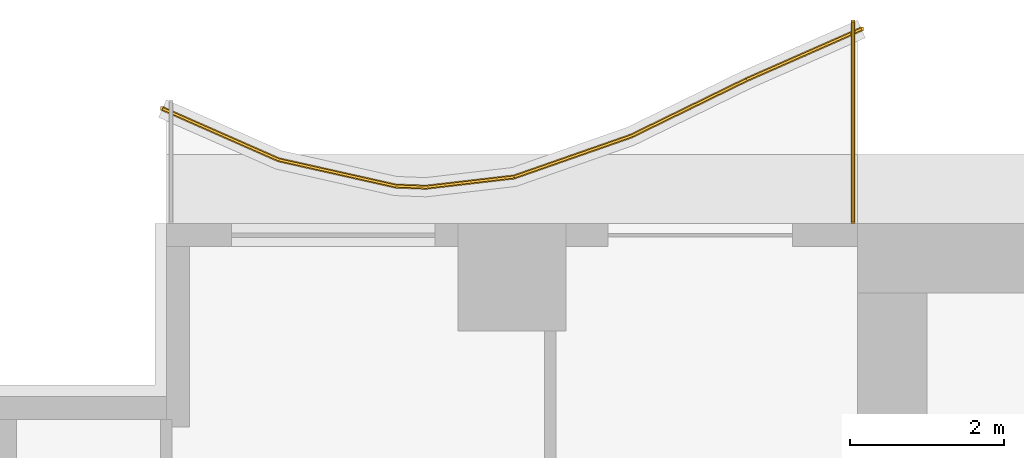
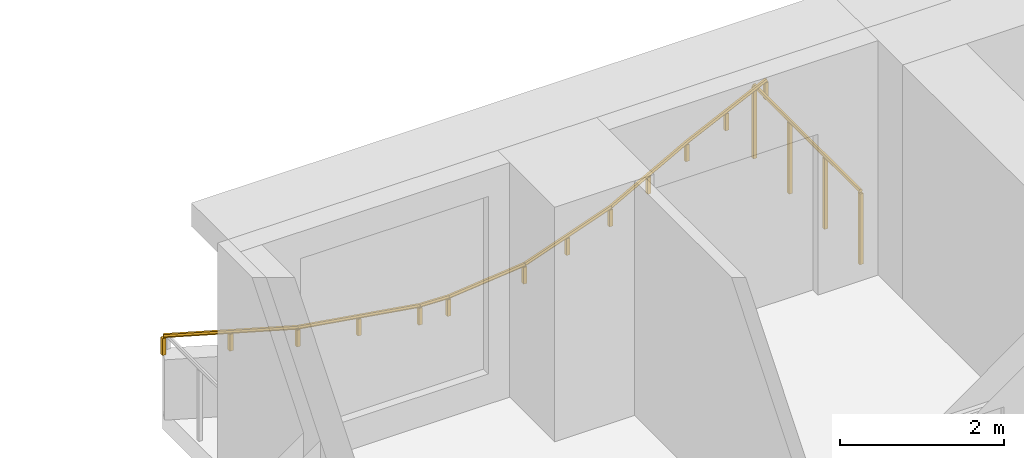
# One storey, part 13 of 14: 2 railings.
"""IFC4 building model written with IfcOpenShell, lengths in metres."""

from ifc_helpers import new_model, si_unit, direction, frame, origin, origin_2d, place, context, subcontext, project, spatial, polyline, rectangle, outline, extrude, material, type_object, element, save


model = new_model("IFC4")

# Units and contexts
model_context = context("Model", 3, precision=1e-05, world=origin(), true_north=direction((0.0, 1.0)))
body_context = subcontext(model_context, "Body", "Model", "MODEL_VIEW")
ifc_project = project(units=[si_unit("LENGTHUNIT", "METRE"), si_unit("AREAUNIT", "SQUARE_METRE"), si_unit("VOLUMEUNIT", "CUBIC_METRE"), si_unit("PLANEANGLEUNIT", "RADIAN"), si_unit("MASSUNIT", "GRAM", prefix="KILO")], contexts=[model_context])

# Site, building, storey
site_placement = place(None, origin())
site = spatial("IfcSite", under=ifc_project, at=site_placement, CompositionType="ELEMENT")
building_placement = place(site_placement, origin())
building = spatial("IfcBuilding", under=site, at=building_placement, Name="Orbiselva Terraces", CompositionType="ELEMENT")
storey_placement = place(building_placement, frame((0.0, 0.0, 56.8)))
storey = spatial("IfcBuildingStorey", under=building, at=storey_placement, Name="L14", CompositionType="ELEMENT", Elevation=56.8)

# Railings
ifc_material_1 = material(Name="Bonded two-ply safety glass balustrade, stainless steel posts", Category="steel")
railing_type_1 = type_object("IfcRailingType", Name="ENV-BALUSTRADE-1200", PredefinedType="BALUSTRADE", material=ifc_material_1)
railing_1_placement = place(storey_placement, frame((-13.449606, 25.034136, 0.9)))
element("IfcRailing", 1, at=railing_1_placement, inside=storey, type_object=railing_type_1, Name="Balcony balustrade L14 NW", PredefinedType="BALUSTRADE", context=body_context, shape_type="SweptSolid", body=[
    extrude(outline(polyline([(0.028868, 0.0), (0.014434, 0.025), (-0.014434, 0.025), (-0.028868, 0.0), (-0.014434, -0.025), (0.014434, -0.025), (0.028868, 0.0)])), frame((0.0, 0.0, 0.275), z_axis=(-0.915133498047, -0.403150940408, 0.0), x_axis=(0.403150940408, -0.915133498047, 0.0)), (0.0, 0.0, 1.0), 1.636648),
    extrude(outline(polyline([(0.028868, 0.0), (0.014434, 0.025), (-0.014434, 0.025), (-0.028868, 0.0), (-0.014434, -0.025), (0.014434, -0.025), (0.028868, 0.0)])), frame((-1.497751, -0.659816, 0.275), z_axis=(-0.898578870221, -0.438812048596, 0.0), x_axis=(0.438812048596, -0.898578870221, 0.0)), (0.0, 0.0, 1.0), 1.674225),
    extrude(outline(polyline([(0.028868, 0.0), (0.014434, 0.025), (-0.014434, 0.025), (-0.028868, 0.0), (-0.014434, -0.025), (0.014434, -0.025), (0.028868, 0.0)])), frame((-3.002174, -1.394486, 0.275), z_axis=(-0.943972332783, -0.330024597479, 0.0), x_axis=(0.330024597479, -0.943972332783, 0.0)), (0.0, 0.0, 1.0), 1.610253),
    extrude(outline(polyline([(0.028868, 0.0), (0.014434, 0.025), (-0.014434, 0.025), (-0.028868, 0.0), (-0.014434, -0.025), (0.014434, -0.025), (0.028868, 0.0)])), frame((-4.522208, -1.925909, 0.275), z_axis=(-0.993309551734, -0.115482182324, 0.0), x_axis=(0.115482182324, -0.993309551734, 0.0)), (0.0, 0.0, 1.0), 1.156135),
    extrude(outline(polyline([(0.028868, 0.0), (0.014434, 0.025), (-0.014434, 0.025), (-0.028868, 0.0), (-0.014434, -0.025), (0.014434, -0.025), (0.028868, 0.0)])), frame((-5.670608, -2.059422, 0.275), z_axis=(-0.999224734286, 0.03936915532, 0.0), x_axis=(-0.03936915532, -0.999224734286, 0.0)), (0.0, 0.0, 1.0), 0.396376),
    extrude(outline(polyline([(0.028868, 0.0), (0.014434, 0.025), (-0.014434, 0.025), (-0.028868, 0.0), (-0.014434, -0.025), (0.014434, -0.025), (0.028868, 0.0)])), frame((-6.066677, -2.043817, 0.275), z_axis=(-0.97572137947, 0.219015500924, 0.0), x_axis=(-0.219015500924, -0.97572137947, 0.0)), (0.0, 0.0, 1.0), 1.560867),
    extrude(outline(polyline([(0.028868, 0.0), (0.014434, 0.025), (-0.014434, 0.025), (-0.028868, 0.0), (-0.014434, -0.025), (0.014434, -0.025), (0.028868, 0.0)])), frame((-7.589648, -1.701963, 0.275), z_axis=(-0.915133578754, 0.403150757208, 0.0), x_axis=(-0.403150757208, -0.915133578754, 0.0)), (0.0, 0.0, 1.0), 1.651278),
    extrude(rectangle(XDim=0.05, YDim=0.05, at=origin_2d()), origin(), (0.0, 0.0, 1.0), 0.25),
    extrude(rectangle(XDim=0.05, YDim=0.05, at=origin_2d()), frame((-0.748876, -0.329908, 0.0)), (0.0, 0.0, 1.0), 0.25),
    extrude(rectangle(XDim=0.05, YDim=0.05, at=origin_2d()), frame((-1.497751, -0.659816, 0.0)), (0.0, 0.0, 1.0), 0.25),
    extrude(rectangle(XDim=0.05, YDim=0.05, at=origin_2d()), frame((-2.249963, -1.027151, 0.0)), (0.0, 0.0, 1.0), 0.25),
    extrude(rectangle(XDim=0.05, YDim=0.05, at=origin_2d()), frame((-3.002174, -1.394486, 0.0)), (0.0, 0.0, 1.0), 0.25),
    extrude(rectangle(XDim=0.05, YDim=0.05, at=origin_2d()), frame((-3.762191, -1.660198, 0.0)), (0.0, 0.0, 1.0), 0.25),
    extrude(rectangle(XDim=0.05, YDim=0.05, at=origin_2d()), frame((-4.522208, -1.925909, 0.0)), (0.0, 0.0, 1.0), 0.25),
    extrude(rectangle(XDim=0.05, YDim=0.05, at=origin_2d()), frame((-5.670608, -2.059422, 0.0)), (0.0, 0.0, 1.0), 0.25),
    extrude(rectangle(XDim=0.05, YDim=0.05, at=origin_2d()), frame((-6.066677, -2.043817, 0.0)), (0.0, 0.0, 1.0), 0.25),
    extrude(rectangle(XDim=0.05, YDim=0.05, at=origin_2d()), frame((-6.828163, -1.87289, 0.0)), (0.0, 0.0, 1.0), 0.25),
    extrude(rectangle(XDim=0.05, YDim=0.05, at=origin_2d()), frame((-7.589648, -1.701963, 0.0)), (0.0, 0.0, 1.0), 0.25),
    extrude(rectangle(XDim=0.05, YDim=0.05, at=origin_2d()), frame((-8.345218, -1.369106, 0.0)), (0.0, 0.0, 1.0), 0.25),
    extrude(rectangle(XDim=0.05, YDim=0.05, at=origin_2d()), frame((-9.100788, -1.036249, 0.0)), (0.0, 0.0, 1.0), 0.25),
])
ifc_material_2 = material(Name="Stainless steel rail and posts", Category="steel")
railing_type_2 = type_object("IfcRailingType", Name="ENV-GUARD-1105", PredefinedType="BALUSTRADE", material=ifc_material_2)
railing_2_placement = place(storey_placement, frame((-13.56, 25.126937, 0.0)))
element("IfcRailing", 2, at=railing_2_placement, inside=storey, type_object=railing_type_2, Name="Balcony end guard L14 NW", PredefinedType="BALUSTRADE", context=body_context, shape_type="SweptSolid", body=[
    extrude(outline(polyline([(0.028868, 0.0), (0.014434, 0.025), (-0.014434, 0.025), (-0.028868, 0.0), (-0.014434, -0.025), (0.014434, -0.025), (0.028868, 0.0)])), frame((0.0, 0.0, 1.08), z_axis=(0.0, -1.0, 0.0), x_axis=(1.0, 0.0, 0.0)), (0.0, 0.0, 1.0), 2.601937),
    extrude(rectangle(XDim=0.05, YDim=0.05, at=origin_2d()), origin(), (0.0, 0.0, 1.0), 1.055),
    extrude(rectangle(XDim=0.05, YDim=0.05, at=origin_2d()), frame((0.0, -0.867312, 0.0)), (0.0, 0.0, 1.0), 1.055),
    extrude(rectangle(XDim=0.05, YDim=0.05, at=origin_2d()), frame((0.0, -1.734625, 0.0)), (0.0, 0.0, 1.0), 1.055),
    extrude(rectangle(XDim=0.05, YDim=0.05, at=origin_2d()), frame((0.0, -2.601937, 0.0)), (0.0, 0.0, 1.0), 1.055),
])

save(model, "model.ifc")
